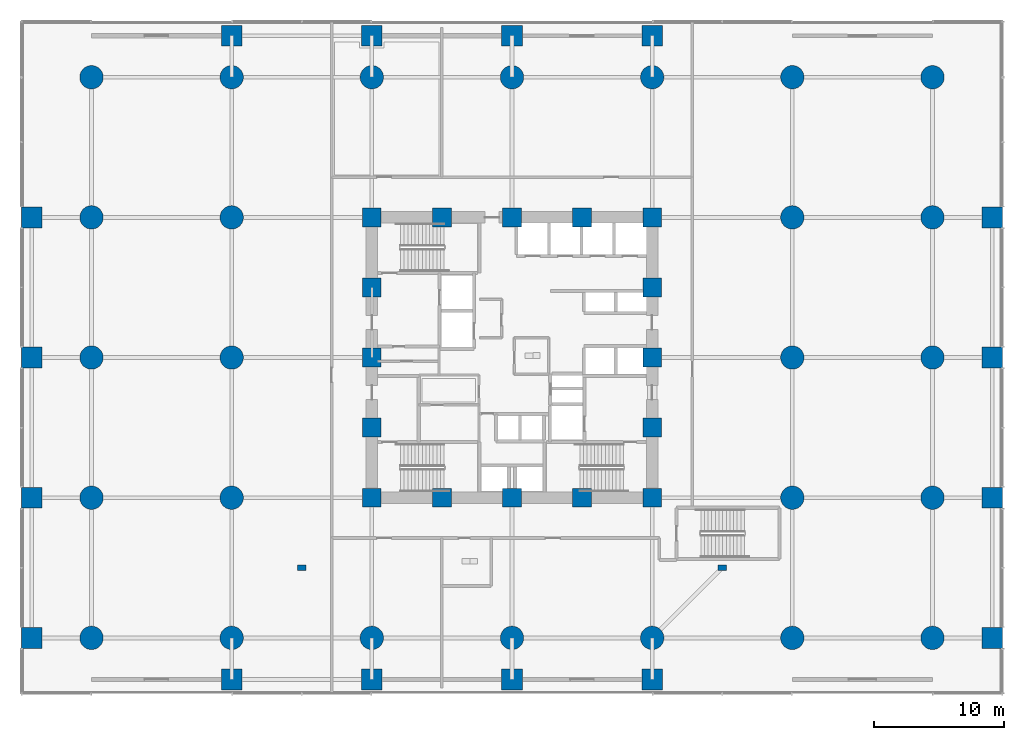
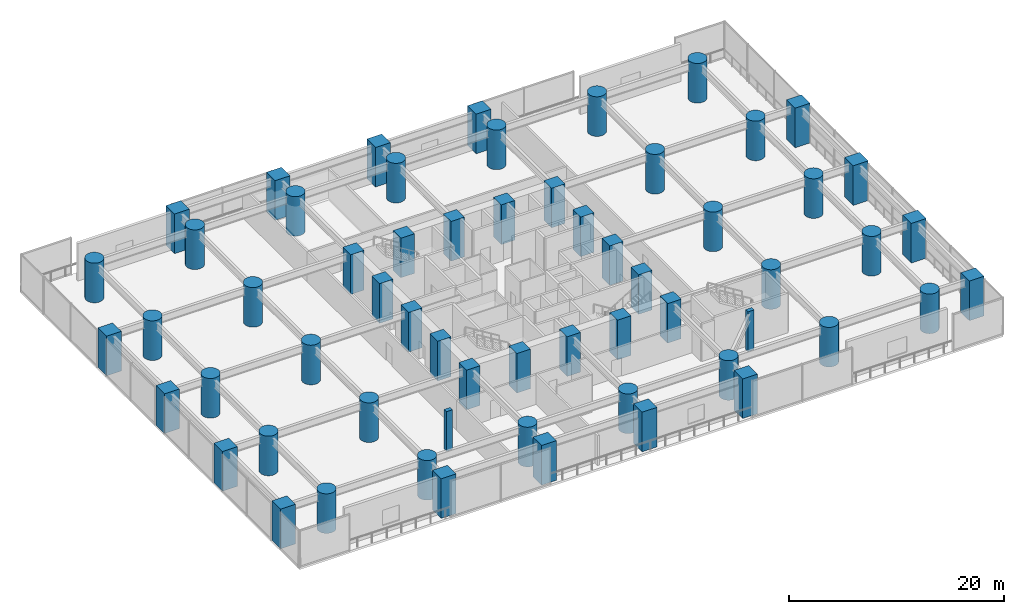
# One storey, part 1 of 36: 60 columns.
"""IFC4 building model written with IfcOpenShell, lengths in metres."""

from ifc_helpers import new_model, si_unit, direction, frame, origin, origin_2d, place, context, subcontext, project, spatial, rectangle, circle, extrude, material, material_profile, profile_set, type_object, element, save


model = new_model("IFC4")

# Units and contexts
model_context = context("Model", 3, precision=1e-05, world=origin(), true_north=direction((0.0, 1.0)))
body_context = subcontext(model_context, "Body", "Model", "MODEL_VIEW")
ifc_project = project(units=[si_unit("LENGTHUNIT", "METRE"), si_unit("AREAUNIT", "SQUARE_METRE"), si_unit("VOLUMEUNIT", "CUBIC_METRE"), si_unit("PLANEANGLEUNIT", "RADIAN"), si_unit("MASSUNIT", "GRAM", prefix="KILO")], contexts=[model_context])

# Site, building, storey
site_placement = place(None, origin())
site = spatial("IfcSite", under=ifc_project, at=site_placement, CompositionType="ELEMENT")
building_placement = place(site_placement, origin())
building = spatial("IfcBuilding", under=site, at=building_placement, Name="Surkhivell Harbour Commons", CompositionType="ELEMENT")
storey_placement = place(building_placement, frame((0.0, 0.0, 9.0)))
storey = spatial("IfcBuildingStorey", under=building, at=storey_placement, Name="L02", CompositionType="ELEMENT", Elevation=9.0)

# Columns
ifc_material_1 = material(Name="Concrete C80/95", Category="concrete")
ifc_material_profile_1 = material_profile(ifc_material_1, rectangle(XDim=1.449951171875, YDim=1.449951171875, at=origin_2d()), Name="RC-COL-1450x1450")
ifc_profile_set_1 = profile_set([ifc_material_profile_1], Name="Concrete C80/95")
column_type_1 = type_object("IfcColumnType", Name="COL-CORE-1450", PredefinedType="COLUMN", material=ifc_profile_set_1)
for number, where, z_axis, x_axis, name in (
    (1, (-10.800048828125, -10.800048828125, 0.0), (0.0, 0.0, 1.0), (1.0, 0.0, 0.0), "L02 Column CC-1 (-10.8,-10.8)"),
    (2, (-10.800048828125, -5.39990234375, 0.0), (0.0, 0.0, 1.0), (1.0, 0.0, 0.0), "L02 Column CC-1 (-10.8,-5.4)"),
    (3, (-10.800048828125, 0.0, 0.0), (0.0, 0.0, 1.0), (1.0, 0.0, 0.0), "L02 Column CC-1 (-10.8,0.0)"),
    (4, (-10.800048828125, 5.39990234375, 0.0), (0.0, 0.0, 1.0), (1.0, 0.0, 0.0), "L02 Column CC-1 (-10.8,5.4)"),
    (5, (-10.800048828125, 10.800048828125, 0.0), (0.0, 0.0, 1.0), (1.0, 0.0, 0.0), "L02 Column CC-1 (-10.8,10.8)"),
    (6, (-5.39990234375, -10.800048828125, 0.0), (0.0, 0.0, 1.0), (1.0, 0.0, 0.0), "L02 Column CC-1 (-5.4,-10.8)"),
    (7, (-5.39990234375, 10.800048828125, 0.0), (0.0, 0.0, 1.0), (1.0, 0.0, 0.0), "L02 Column CC-1 (-5.4,10.8)"),
    (8, (0.0, -10.800048828125, 0.0), (0.0, 0.0, 1.0), (1.0, 0.0, 0.0), "L02 Column CC-1 (0.0,-10.8)"),
    (9, (0.0, 10.800048828125, 0.0), (0.0, 0.0, 1.0), (1.0, 0.0, 0.0), "L02 Column CC-1 (0.0,10.8)"),
    (10, (5.39990234375, -10.800048828125, 0.0), (0.0, 0.0, 1.0), (1.0, 0.0, 0.0), "L02 Column CC-1 (5.4,-10.8)"),
    (11, (5.39990234375, 10.800048828125, 0.0), (0.0, 0.0, 1.0), (1.0, 0.0, 0.0), "L02 Column CC-1 (5.4,10.8)"),
    (12, (10.800048828125, -10.800048828125, 0.0), (0.0, 0.0, 1.0), (1.0, 0.0, 0.0), "L02 Column CC-1 (10.8,-10.8)"),
    (13, (10.800048828125, -5.39990234375, 0.0), (0.0, 0.0, 1.0), (1.0, 0.0, 0.0), "L02 Column CC-1 (10.8,-5.4)"),
    (14, (10.800048828125, 0.0, 0.0), (0.0, 0.0, 1.0), (1.0, 0.0, 0.0), "L02 Column CC-1 (10.8,0.0)"),
    (15, (10.800048828125, 5.39990234375, 0.0), (0.0, 0.0, 1.0), (1.0, 0.0, 0.0), "L02 Column CC-1 (10.8,5.4)"),
    (16, (10.800048828125, 10.800048828125, 0.0), (0.0, 0.0, 1.0), (1.0, 0.0, 0.0), "L02 Column CC-1 (10.8,10.8)"),
):
    element("IfcColumn", number, at=place(storey_placement, frame(where, z_axis=z_axis, x_axis=x_axis)), inside=storey, type_object=column_type_1, Name=name, PredefinedType="COLUMN", context=body_context, shape_type="SweptSolid", body=[
        extrude(rectangle(XDim=1.449951171875, YDim=1.449951171875, at=origin_2d()), origin(), (0.0, 0.0, 1.0), 4.5),
    ])
ifc_material_profile_2 = material_profile(ifc_material_1, rectangle(XDim=1.60009765625, YDim=1.60009765625, at=origin_2d()), Name="RC-COL-1600x1600")
ifc_profile_set_2 = profile_set([ifc_material_profile_2], Name="Concrete C80/95")
column_type_2 = type_object("IfcColumnType", Name="COL-MEGA-1600", PredefinedType="COLUMN", material=ifc_profile_set_2)
for number, where, z_axis, x_axis, name in (
    (17, (-37.0, -21.60009765625, 0.0), (0.0, 0.0, 1.0), (1.0, 0.0, 0.0), "L02 Column CM-1 (-37.0,-21.6)"),
    (18, (-37.0, -10.800048828125, 0.0), (0.0, 0.0, 1.0), (1.0, 0.0, 0.0), "L02 Column CM-1 (-37.0,-10.8)"),
    (19, (-37.0, 0.0, 0.0), (0.0, 0.0, 1.0), (1.0, 0.0, 0.0), "L02 Column CM-1 (-37.0,0.0)"),
    (20, (-37.0, 10.800048828125, 0.0), (0.0, 0.0, 1.0), (1.0, 0.0, 0.0), "L02 Column CM-1 (-37.0,10.8)"),
    (21, (-21.60009765625, -24.800048828125, 0.0), (0.0, 0.0, 1.0), (1.0, 0.0, 0.0), "L02 Column CM-1 (-21.6,-24.8)"),
    (22, (-21.60009765625, 24.800048828125, 0.0), (0.0, 0.0, 1.0), (1.0, 0.0, 0.0), "L02 Column CM-1 (-21.6,24.8)"),
    (23, (-10.800048828125, -24.800048828125, 0.0), (0.0, 0.0, 1.0), (1.0, 0.0, 0.0), "L02 Column CM-1 (-10.8,-24.8)"),
    (24, (-10.800048828125, 24.800048828125, 0.0), (0.0, 0.0, 1.0), (1.0, 0.0, 0.0), "L02 Column CM-1 (-10.8,24.8)"),
    (25, (0.0, -24.800048828125, 0.0), (0.0, 0.0, 1.0), (1.0, 0.0, 0.0), "L02 Column CM-1 (0.0,-24.8)"),
    (26, (0.0, 24.800048828125, 0.0), (0.0, 0.0, 1.0), (1.0, 0.0, 0.0), "L02 Column CM-1 (0.0,24.8)"),
    (27, (10.800048828125, -24.800048828125, 0.0), (0.0, 0.0, 1.0), (1.0, 0.0, 0.0), "L02 Column CM-1 (10.8,-24.8)"),
    (28, (10.800048828125, 24.800048828125, 0.0), (0.0, 0.0, 1.0), (1.0, 0.0, 0.0), "L02 Column CM-1 (10.8,24.8)"),
    (29, (37.0, -21.60009765625, 0.0), (0.0, 0.0, 1.0), (1.0, 0.0, 0.0), "L02 Column CM-1 (37.0,-21.6)"),
    (30, (37.0, -10.800048828125, 0.0), (0.0, 0.0, 1.0), (1.0, 0.0, 0.0), "L02 Column CM-1 (37.0,-10.8)"),
    (31, (37.0, 0.0, 0.0), (0.0, 0.0, 1.0), (1.0, 0.0, 0.0), "L02 Column CM-1 (37.0,0.0)"),
    (32, (37.0, 10.800048828125, 0.0), (0.0, 0.0, 1.0), (1.0, 0.0, 0.0), "L02 Column CM-1 (37.0,10.8)"),
):
    element("IfcColumn", number, at=place(storey_placement, frame(where, z_axis=z_axis, x_axis=x_axis)), inside=storey, type_object=column_type_2, Name=name, PredefinedType="COLUMN", context=body_context, shape_type="SweptSolid", body=[
        extrude(rectangle(XDim=1.60009765625, YDim=1.60009765625, at=origin_2d()), origin(), (0.0, 0.0, 1.0), 4.5),
    ])
ifc_material_2 = material(Name="Concrete C50/60", Category="concrete")
ifc_material_profile_3 = material_profile(ifc_material_2, rectangle(XDim=0.64990234375, YDim=0.449951171875, at=origin_2d()), Name="RC-PIL-650x450")
ifc_profile_set_3 = profile_set([ifc_material_profile_3], Name="Concrete C50/60")
column_type_3 = type_object("IfcColumnType", Name="COL-PIL-650", PredefinedType="PILASTER", material=ifc_profile_set_3)
for number, where, z_axis, x_axis, name in (
    (33, (-16.199951171875, -16.199951171875, 0.0), (0.0, 0.0, 1.0), (1.0, 0.0, 0.0), "L02 Brick-Clad Entrance Pilaster 1"),
    (34, (16.199951171875, -16.199951171875, 0.0), (0.0, 0.0, 1.0), (1.0, 0.0, 0.0), "L02 Brick-Clad Entrance Pilaster 2"),
):
    element("IfcColumn", number, at=place(storey_placement, frame(where, z_axis=z_axis, x_axis=x_axis)), inside=storey, type_object=column_type_3, Name=name, PredefinedType="PILASTER", context=body_context, shape_type="SweptSolid", body=[
        extrude(rectangle(XDim=0.64990234375, YDim=0.449951171875, at=origin_2d()), origin(), (0.0, 0.0, 1.0), 4.5),
    ])
ifc_material_profile_4 = material_profile(ifc_material_1, circle(Radius=0.89990234375, at=origin_2d()), Name="RC-CIRC-1800")
ifc_profile_set_4 = profile_set([ifc_material_profile_4], Name="Concrete C80/95")
column_type_4 = type_object("IfcColumnType", Name="COL-STILT-1800", PredefinedType="COLUMN", material=ifc_profile_set_4)
for number, where, z_axis, x_axis, name in (
    (35, (-32.39990234375, -21.60009765625, 0.0), (0.0, 0.0, 1.0), (1.0, 0.0, 0.0), "L02 Column CS-1 (-32.4,-21.6)"),
    (36, (-32.39990234375, -10.800048828125, 0.0), (0.0, 0.0, 1.0), (1.0, 0.0, 0.0), "L02 Column CS-1 (-32.4,-10.8)"),
    (37, (-32.39990234375, 0.0, 0.0), (0.0, 0.0, 1.0), (1.0, 0.0, 0.0), "L02 Column CS-1 (-32.4,0.0)"),
    (38, (-32.39990234375, 10.800048828125, 0.0), (0.0, 0.0, 1.0), (1.0, 0.0, 0.0), "L02 Column CS-1 (-32.4,10.8)"),
    (39, (-32.39990234375, 21.60009765625, 0.0), (0.0, 0.0, 1.0), (1.0, 0.0, 0.0), "L02 Column CS-1 (-32.4,21.6)"),
    (40, (-21.60009765625, -21.60009765625, 0.0), (0.0, 0.0, 1.0), (1.0, 0.0, 0.0), "L02 Column CS-1 (-21.6,-21.6)"),
    (41, (-21.60009765625, -10.800048828125, 0.0), (0.0, 0.0, 1.0), (1.0, 0.0, 0.0), "L02 Column CS-1 (-21.6,-10.8)"),
    (42, (-21.60009765625, 0.0, 0.0), (0.0, 0.0, 1.0), (1.0, 0.0, 0.0), "L02 Column CS-1 (-21.6,0.0)"),
    (43, (-21.60009765625, 10.800048828125, 0.0), (0.0, 0.0, 1.0), (1.0, 0.0, 0.0), "L02 Column CS-1 (-21.6,10.8)"),
    (44, (-21.60009765625, 21.60009765625, 0.0), (0.0, 0.0, 1.0), (1.0, 0.0, 0.0), "L02 Column CS-1 (-21.6,21.6)"),
    (45, (-10.800048828125, -21.60009765625, 0.0), (0.0, 0.0, 1.0), (1.0, 0.0, 0.0), "L02 Column CS-1 (-10.8,-21.6)"),
    (46, (-10.800048828125, 21.60009765625, 0.0), (0.0, 0.0, 1.0), (1.0, 0.0, 0.0), "L02 Column CS-1 (-10.8,21.6)"),
    (47, (0.0, -21.60009765625, 0.0), (0.0, 0.0, 1.0), (1.0, 0.0, 0.0), "L02 Column CS-1 (0.0,-21.6)"),
    (48, (0.0, 21.60009765625, 0.0), (0.0, 0.0, 1.0), (1.0, 0.0, 0.0), "L02 Column CS-1 (0.0,21.6)"),
    (49, (10.800048828125, -21.60009765625, 0.0), (0.0, 0.0, 1.0), (1.0, 0.0, 0.0), "L02 Column CS-1 (10.8,-21.6)"),
    (50, (10.800048828125, 21.60009765625, 0.0), (0.0, 0.0, 1.0), (1.0, 0.0, 0.0), "L02 Column CS-1 (10.8,21.6)"),
    (51, (21.60009765625, -21.60009765625, 0.0), (0.0, 0.0, 1.0), (1.0, 0.0, 0.0), "L02 Column CS-1 (21.6,-21.6)"),
    (52, (21.60009765625, -10.800048828125, 0.0), (0.0, 0.0, 1.0), (1.0, 0.0, 0.0), "L02 Column CS-1 (21.6,-10.8)"),
    (53, (21.60009765625, 0.0, 0.0), (0.0, 0.0, 1.0), (1.0, 0.0, 0.0), "L02 Column CS-1 (21.6,0.0)"),
    (54, (21.60009765625, 10.800048828125, 0.0), (0.0, 0.0, 1.0), (1.0, 0.0, 0.0), "L02 Column CS-1 (21.6,10.8)"),
    (55, (21.60009765625, 21.60009765625, 0.0), (0.0, 0.0, 1.0), (1.0, 0.0, 0.0), "L02 Column CS-1 (21.6,21.6)"),
    (56, (32.39990234375, -21.60009765625, 0.0), (0.0, 0.0, 1.0), (1.0, 0.0, 0.0), "L02 Column CS-1 (32.4,-21.6)"),
    (57, (32.39990234375, -10.800048828125, 0.0), (0.0, 0.0, 1.0), (1.0, 0.0, 0.0), "L02 Column CS-1 (32.4,-10.8)"),
    (58, (32.39990234375, 0.0, 0.0), (0.0, 0.0, 1.0), (1.0, 0.0, 0.0), "L02 Column CS-1 (32.4,0.0)"),
    (59, (32.39990234375, 10.800048828125, 0.0), (0.0, 0.0, 1.0), (1.0, 0.0, 0.0), "L02 Column CS-1 (32.4,10.8)"),
    (60, (32.39990234375, 21.60009765625, 0.0), (0.0, 0.0, 1.0), (1.0, 0.0, 0.0), "L02 Column CS-1 (32.4,21.6)"),
):
    element("IfcColumn", number, at=place(storey_placement, frame(where, z_axis=z_axis, x_axis=x_axis)), inside=storey, type_object=column_type_4, Name=name, PredefinedType="COLUMN", context=body_context, shape_type="SweptSolid", body=[
        extrude(circle(Radius=0.89990234375, at=origin_2d()), origin(), (0.0, 0.0, 1.0), 4.5),
    ])

save(model, "model.ifc")
